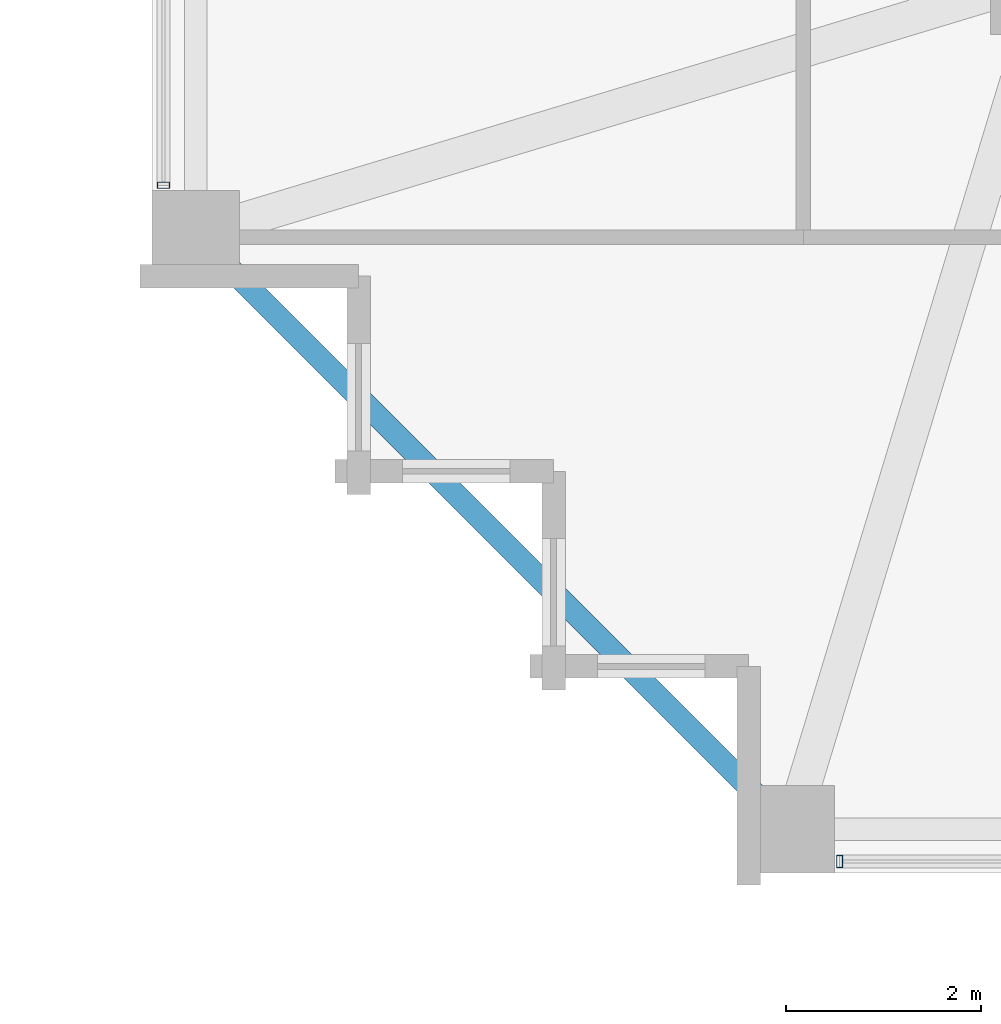
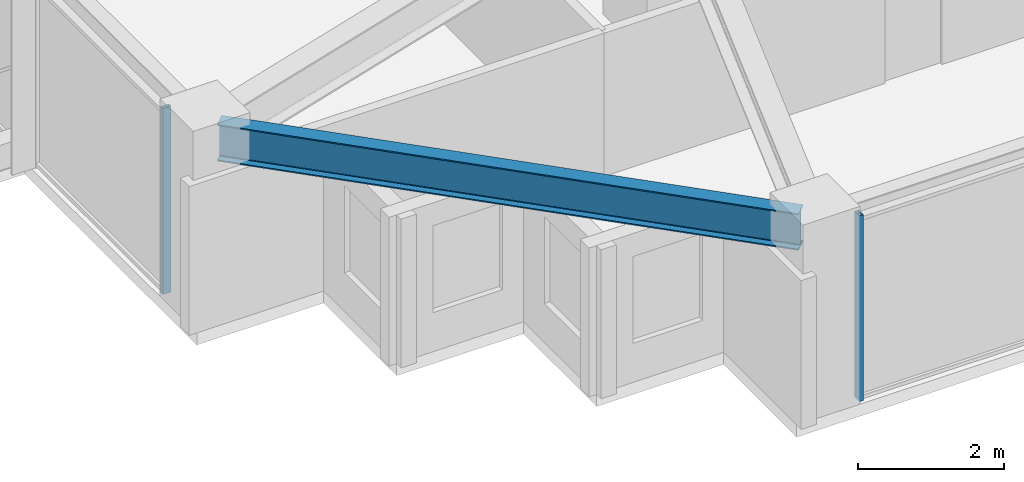
# One storey, part 2 of 35: 2 members, 1 beam, 2 elements without a shape of their own.
"""IFC4 building model written with IfcOpenShell, lengths in metres."""

from ifc_helpers import new_model, si_unit, direction, frame, origin, origin_2d, place, context, subcontext, project, spatial, hollow_rectangle, i_section, extrude, material, material_profile, profile_set, type_object, element, aggregate, save


model = new_model("IFC4")

# Units and contexts
model_context = context("Model", 3, precision=1e-05, world=origin(), true_north=direction((0.0, 1.0)))
body_context = subcontext(model_context, "Body", "Model", "MODEL_VIEW")
ifc_project = project(units=[si_unit("LENGTHUNIT", "METRE"), si_unit("AREAUNIT", "SQUARE_METRE"), si_unit("VOLUMEUNIT", "CUBIC_METRE"), si_unit("PLANEANGLEUNIT", "RADIAN"), si_unit("MASSUNIT", "GRAM", prefix="KILO")], contexts=[model_context])

# Site, building, storey
site_placement = place(None, origin())
site = spatial("IfcSite", under=ifc_project, at=site_placement, CompositionType="ELEMENT")
building_placement = place(site_placement, origin())
building = spatial("IfcBuilding", under=site, at=building_placement, Name="Kolvaren Belvedere", CompositionType="ELEMENT")
storey_placement = place(building_placement, frame((0.0, 0.0, 163.5)))
storey = spatial("IfcBuildingStorey", under=building, at=storey_placement, Name="L47", CompositionType="ELEMENT", Elevation=163.5)

# Beam
ifc_material_1 = material(Name="Structural steel ASTM A992 Grade 50", Category="steel")
ifc_material_profile_1 = material_profile(ifc_material_1, i_section(OverallWidth=0.22900390625, OverallDepth=0.612060546875, WebThickness=0.011962890625, FlangeThickness=0.01953125, FilletRadius=0.01806640625, at=origin_2d()), Name="W24X84")
ifc_profile_set_1 = profile_set([ifc_material_profile_1], Name="Structural steel ASTM A992 Grade 50")
beam_type = type_object("IfcBeamType", Name="BM-SPAN-W24X84", PredefinedType="SPANDREL", material=ifc_profile_set_1)
beam_placement = place(storey_placement, frame((-18.5068359375, -12.693115234375, 2.7939453125), z_axis=(0.707106781187, -0.707106781187, 0.0), x_axis=(0.707106781187, 0.707106781187, 0.0)))
element("IfcBeam", 1, at=beam_placement, inside=storey, type_object=beam_type, Name="L47 Perimeter Spandrel W1-S1", PredefinedType="SPANDREL", context=body_context, shape_type="SweptSolid", body=[
    extrude(i_section(OverallWidth=0.22900390625, OverallDepth=0.612060546875, WebThickness=0.011962890625, FlangeThickness=0.01953125, FilletRadius=0.01806640625, at=origin_2d()), origin(), (0.0, 0.0, 1.0), 8.221923828125),
])

# Curtain wall, member
ifc_material_2 = material(Name="Anodised pale-metal aluminium AA 6063-T6", Category="aluminium")
curtain_wall_type = type_object("IfcCurtainWallType", Name="CW-Z3-WAIST", PredefinedType="NOTDEFINED", material=ifc_material_2)
curtain_wall_1_placement = place(storey_placement, origin())
curtain_wall_1 = element("IfcCurtainWall", 2, at=curtain_wall_1_placement, inside=storey, type_object=curtain_wall_type, Name="L47 Unitised Curtain Wall FCW-L47-S-B3", PredefinedType="NOTDEFINED")
ifc_material_3 = material(Name="Anodised pale-metal aluminium AA 6063-T6", Category="aluminium")
ifc_material_profile_2 = material_profile(ifc_material_3, hollow_rectangle(XDim=0.06494140625, YDim=0.1298828125, WallThickness=0.00390625, at=origin_2d()), Name="ALU-MUL-130X65")
ifc_profile_set_2 = profile_set([ifc_material_profile_2], Name="Anodised pale-metal aluminium AA 6063-T6")
member_type = type_object("IfcMemberType", Name="CW-MUL-130", PredefinedType="MULLION", material=ifc_profile_set_2)
member_1_placement = place(storey_placement, frame((-12.047607421875, -18.97998046875, 0.0), z_axis=(0.0, 0.0, 1.0), x_axis=(1.0, 0.0, 0.0)))
member_1 = element("IfcMember", 3, at=member_1_placement, type_object=member_type, Name="FCW-L47-S-B3 Unitised Mullion 3", PredefinedType="MULLION", context=body_context, shape_type="SweptSolid", body=[
    extrude(hollow_rectangle(XDim=0.06494140625, YDim=0.1298828125, WallThickness=0.00390625, at=origin_2d()), origin(), (0.0, 0.0, 1.0), 3.10009765625),
])
aggregate(curtain_wall_1, [member_1])

curtain_wall_2_placement = place(storey_placement, origin())
curtain_wall_2 = element("IfcCurtainWall", 4, at=curtain_wall_2_placement, inside=storey, type_object=curtain_wall_type, Name="L47 Unitised Curtain Wall FCW-L47-W1-B1", PredefinedType="NOTDEFINED")
member_2_placement = place(storey_placement, frame((-18.97998046875, -12.047607421875, 0.0), z_axis=(0.0, 0.0, 1.0), x_axis=(0.0, 1.0, 0.0)))
member_2 = element("IfcMember", 5, at=member_2_placement, type_object=member_type, Name="FCW-L47-W1-B1 Unitised Mullion 1", PredefinedType="MULLION", context=body_context, shape_type="SweptSolid", body=[
    extrude(hollow_rectangle(XDim=0.06494140625, YDim=0.1298828125, WallThickness=0.00390625, at=origin_2d()), origin(), (0.0, 0.0, 1.0), 3.10009765625),
])
aggregate(curtain_wall_2, [member_2])

save(model, "model.ifc")
